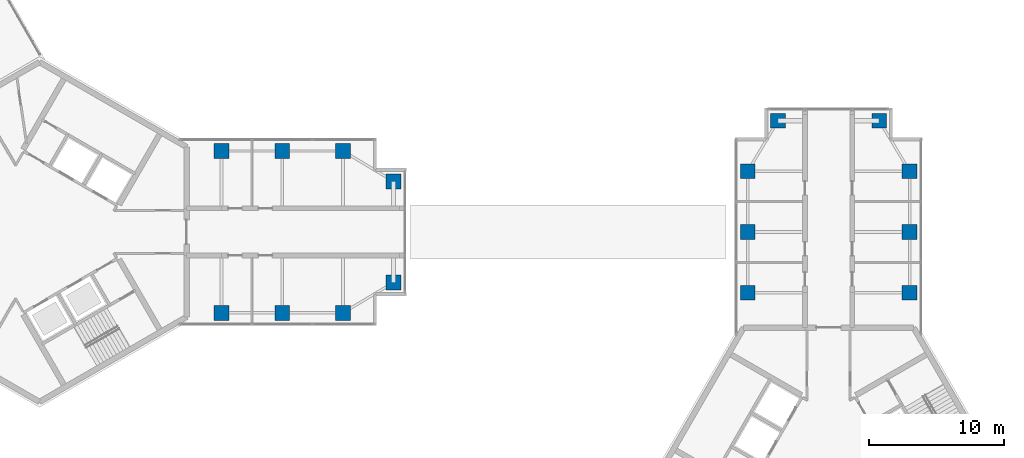
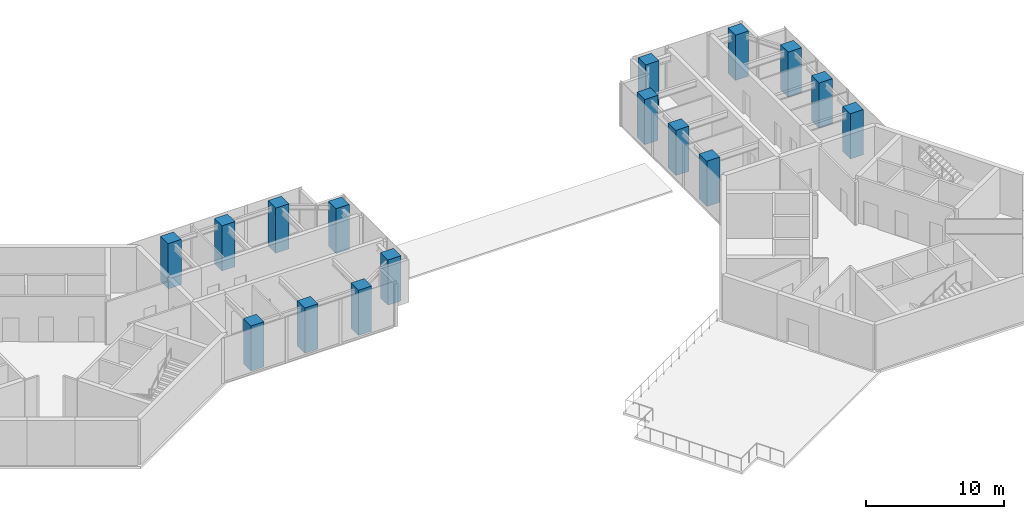
# One storey, part 1 of 11: 16 columns.
"""IFC4 building model written with IfcOpenShell, lengths in metres."""

from ifc_helpers import new_model, si_unit, direction, frame, origin, origin_2d, place, context, subcontext, project, spatial, rectangle, extrude, material, material_profile, profile_set, type_object, element, save


model = new_model("IFC4")

# Units and contexts
model_context = context("Model", 3, precision=1e-05, world=origin(), true_north=direction((0.0, 1.0)))
body_context = subcontext(model_context, "Body", "Model", "MODEL_VIEW")
ifc_project = project(units=[si_unit("LENGTHUNIT", "METRE"), si_unit("AREAUNIT", "SQUARE_METRE"), si_unit("VOLUMEUNIT", "CUBIC_METRE"), si_unit("PLANEANGLEUNIT", "RADIAN"), si_unit("MASSUNIT", "GRAM", prefix="KILO")], contexts=[model_context])

# Site, building, storey
site_placement = place(None, origin())
site = spatial("IfcSite", under=ifc_project, at=site_placement, CompositionType="ELEMENT")
building_placement = place(site_placement, origin())
building = spatial("IfcBuilding", under=site, at=building_placement, Name="Upepo Twin Towers", CompositionType="ELEMENT")
storey_placement = place(building_placement, frame((0.0, 0.0, 243.5)))
storey = spatial("IfcBuildingStorey", under=building, at=storey_placement, Name="L59", CompositionType="ELEMENT", Elevation=243.5)

# Columns
ifc_material = material(Name="Concrete C60/75", Category="concrete")
ifc_material_profile = material_profile(ifc_material, rectangle(XDim=1.10009765625, YDim=1.10009765625, at=origin_2d()), Name="RC 1100x1100")
ifc_profile_set = profile_set([ifc_material_profile], Name="Concrete C60/75")
column_type = type_object("IfcColumnType", Name="Tower column RC 1100x1100", PredefinedType="COLUMN", material=ifc_profile_set)
for number, where, z_axis, x_axis, name in (
    (1, (13.5, 6.0, 0.0), (0.0, 0.0, 1.0), (1.0, 0.0, 0.0), "T1 column AL135"),
    (2, (13.5, -6.0, 0.0), (0.0, 0.0, 1.0), (1.0, 0.0, 0.0), "T1 column AR135"),
    (3, (18.0, 6.0, 0.0), (0.0, 0.0, 1.0), (1.0, 0.0, 0.0), "T1 column AL180"),
    (4, (18.0, -6.0, 0.0), (0.0, 0.0, 1.0), (1.0, 0.0, 0.0), "T1 column AR180"),
    (5, (22.5, 6.0, 0.0), (0.0, 0.0, 1.0), (1.0, 0.0, 0.0), "T1 column AL225"),
    (6, (22.5, -6.0, 0.0), (0.0, 0.0, 1.0), (1.0, 0.0, 0.0), "T1 column AR225"),
    (7, (26.25, 3.75, 0.0), (0.0, 0.0, 1.0), (1.0, 0.0, 0.0), "T1 column ALN"),
    (8, (26.25, -3.75, 0.0), (0.0, 0.0, 1.0), (1.0, 0.0, 0.0), "T1 column ARN"),
    (9, (52.5, -4.5, 0.0), (0.0, 0.0, 1.0), (1.0, 0.0, 0.0), "T2 column AL135"),
    (10, (64.5, -4.5, 0.0), (0.0, 0.0, 1.0), (1.0, 0.0, 0.0), "T2 column AR135"),
    (11, (52.5, 0.0, 0.0), (0.0, 0.0, 1.0), (1.0, 0.0, 0.0), "T2 column AL180"),
    (12, (64.5, 0.0, 0.0), (0.0, 0.0, 1.0), (1.0, 0.0, 0.0), "T2 column AR180"),
    (13, (52.5, 4.5, 0.0), (0.0, 0.0, 1.0), (1.0, 0.0, 0.0), "T2 column AL225"),
    (14, (64.5, 4.5, 0.0), (0.0, 0.0, 1.0), (1.0, 0.0, 0.0), "T2 column AR225"),
    (15, (54.75, 8.25, 0.0), (0.0, 0.0, 1.0), (1.0, 0.0, 0.0), "T2 column ALN"),
    (16, (62.25, 8.25, 0.0), (0.0, 0.0, 1.0), (1.0, 0.0, 0.0), "T2 column ARN"),
):
    element("IfcColumn", number, at=place(storey_placement, frame(where, z_axis=z_axis, x_axis=x_axis)), inside=storey, type_object=column_type, Name=name, PredefinedType="COLUMN", context=body_context, shape_type="SweptSolid", body=[
        extrude(rectangle(XDim=1.10009765625, YDim=1.10009765625, at=origin_2d()), origin(), (0.0, 0.0, 1.0), 4.0),
    ])

save(model, "model.ifc")
